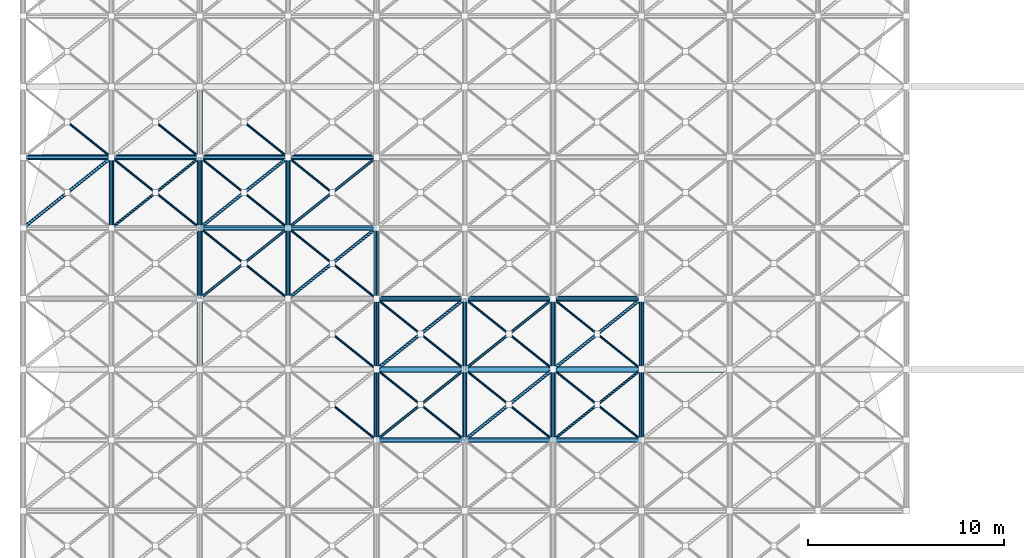
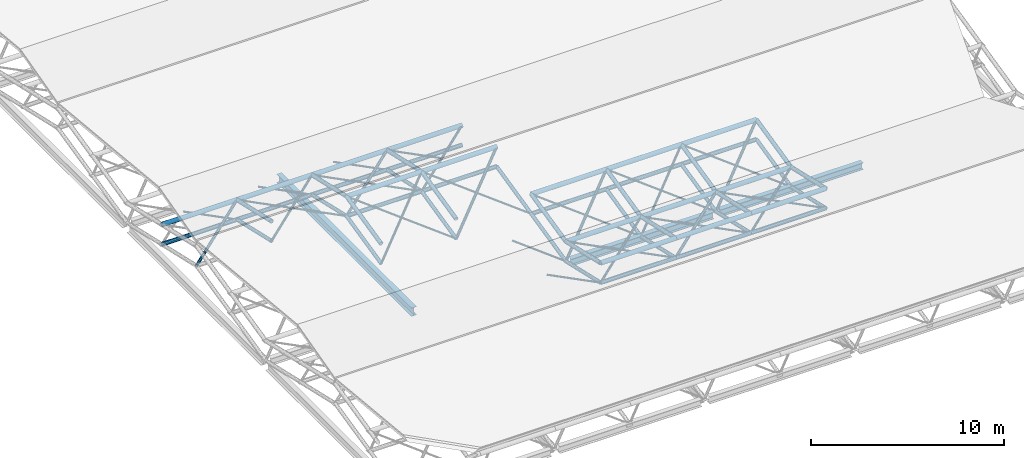
# One storey, part 14 of 110: 92 members, 3 beams.
"""IFC4 building model written with IfcOpenShell, lengths in metres."""

from ifc_helpers import new_model, si_unit, direction, frame, origin, origin_2d, place, context, subcontext, project, spatial, hollow_circle, i_section, extrude, material, material_profile, profile_set, type_object, element, save


model = new_model("IFC4")

# Units and contexts
model_context = context("Model", 3, precision=1e-05, world=origin(), true_north=direction((0.0, 1.0)))
body_context = subcontext(model_context, "Body", "Model", "MODEL_VIEW")
ifc_project = project(units=[si_unit("LENGTHUNIT", "METRE"), si_unit("AREAUNIT", "SQUARE_METRE"), si_unit("VOLUMEUNIT", "CUBIC_METRE"), si_unit("PLANEANGLEUNIT", "RADIAN"), si_unit("MASSUNIT", "GRAM", prefix="KILO")], contexts=[model_context])

# Site, building, storey
site_placement = place(None, origin())
site = spatial("IfcSite", under=ifc_project, at=site_placement, CompositionType="ELEMENT")
building_placement = place(site_placement, origin())
building = spatial("IfcBuilding", under=site, at=building_placement, Name="Tamarisk Ironworks Central Station", CompositionType="ELEMENT")
storey_placement = place(building_placement, frame((0.0, 0.0, 17.39990234375)))
storey = spatial("IfcBuildingStorey", under=building, at=storey_placement, Name="L03", CompositionType="ELEMENT", Elevation=17.39990234375)

# Beams
ifc_material_1 = material(Name="Structural steel S355J2", Category="steel")
ifc_material_profile_1 = material_profile(ifc_material_1, i_section(OverallWidth=0.300048828125, OverallDepth=0.5400390625, WebThickness=0.012451171875, FlangeThickness=0.02392578125, at=origin_2d()), Name="HEA 550")
ifc_profile_set_1 = profile_set([ifc_material_profile_1], Name="Structural steel S355J2")
beam_type_1 = type_object("IfcBeamType", Name="BM-G04", PredefinedType="BEAM", material=ifc_profile_set_1)
beam_placement = place(storey_placement, frame((9.0, 36.191162109375, -1.869873046875), z_axis=(0.0, 1.0, 0.0), x_axis=(-1.0, 0.0, 0.0)))
element("IfcBeam", 1, at=beam_placement, inside=storey, type_object=beam_type_1, Name="L03 primary girder Y-0587", PredefinedType="BEAM", context=body_context, shape_type="SweptSolid", body=[
    extrude(i_section(OverallWidth=0.300048828125, OverallDepth=0.5400390625, WebThickness=0.012451171875, FlangeThickness=0.02392578125, at=origin_2d()), origin(), (0.0, 0.0, 1.0), 14.017578125),
])
ifc_material_profile_2 = material_profile(ifc_material_1, i_section(OverallWidth=0.300048828125, OverallDepth=0.43994140625, WebThickness=0.011474609375, FlangeThickness=0.02099609375, at=origin_2d()), Name="HEA 450")
ifc_profile_set_2 = profile_set([ifc_material_profile_2], Name="Structural steel S355J2")
beam_type_2 = type_object("IfcBeamType", Name="BM-G06", PredefinedType="BEAM", material=ifc_profile_set_2)
for number, where, z_axis, x_axis, name in (
    (2, (18.241943359375, 36.0, -1.81982421875), (1.0, 0.0, 0.0), (0.0, 1.0, 0.0), "L03 primary girder X-0549"),
    (3, (27.191162109375, 36.0, -1.81982421875), (1.0, 0.0, 0.0), (0.0, 1.0, 0.0), "L03 primary girder X-0550"),
):
    element("IfcBeam", number, at=place(storey_placement, frame(where, z_axis=z_axis, x_axis=x_axis)), inside=storey, type_object=beam_type_2, Name=name, PredefinedType="BEAM", context=body_context, shape_type="SweptSolid", body=[
        extrude(i_section(OverallWidth=0.300048828125, OverallDepth=0.43994140625, WebThickness=0.011474609375, FlangeThickness=0.02099609375, at=origin_2d()), origin(), (0.0, 0.0, 1.0), 8.56689453125),
    ])

# Members
ifc_material_2 = material(Name="Structural steel S355J2H", Category="steel")
ifc_material_profile_3 = material_profile(ifc_material_2, hollow_circle(Radius=0.136474609375, WallThickness=0.012451171875, at=origin_2d()), Name="CHS 273x12.5")
ifc_profile_set_3 = profile_set([ifc_material_profile_3], Name="Structural steel S355J2H")
member_type_1 = type_object("IfcMemberType", Name="MB-SFC01", PredefinedType="CHORD", material=ifc_profile_set_3)
for number, where, z_axis, x_axis, name in (
    (4, (18.0, 32.39990234375, 0.35498046875), (1.0, 0.0, 0.0), (0.0, 1.0, 0.0), "Train shed space-frame top chord 0109"),
    (5, (22.5, 32.39990234375, 0.35498046875), (1.0, 0.0, 0.0), (0.0, 1.0, 0.0), "Train shed space-frame top chord 0110"),
    (6, (27.0, 32.39990234375, 0.35498046875), (1.0, 0.0, 0.0), (0.0, 1.0, 0.0), "Train shed space-frame top chord 0111"),
    (7, (18.0, 36.0, -0.469970703125), (1.0, 0.0, 0.0), (0.0, 1.0, 0.0), "Train shed space-frame top chord 0119"),
    (8, (22.5, 36.0, -0.469970703125), (1.0, 0.0, 0.0), (0.0, 1.0, 0.0), "Train shed space-frame top chord 0120"),
    (9, (27.0, 36.0, -0.469970703125), (1.0, 0.0, 0.0), (0.0, 1.0, 0.0), "Train shed space-frame top chord 0121"),
    (10, (18.0, 39.60009765625, 0.35498046875), (1.0, 0.0, 0.0), (0.0, 1.0, 0.0), "Train shed space-frame top chord 0327"),
    (11, (22.5, 39.60009765625, 0.35498046875), (1.0, 0.0, 0.0), (0.0, 1.0, 0.0), "Train shed space-frame top chord 0328"),
    (12, (27.0, 39.60009765625, 0.35498046875), (1.0, 0.0, 0.0), (0.0, 1.0, 0.0), "Train shed space-frame top chord 0329"),
    (13, (9.0, 43.199951171875, 1.18017578125), (1.0, 0.0, 0.0), (0.0, 1.0, 0.0), "Train shed space-frame top chord 0335"),
    (14, (13.5, 43.199951171875, 1.18017578125), (1.0, 0.0, 0.0), (0.0, 1.0, 0.0), "Train shed space-frame top chord 0336"),
    (15, (0.0, 46.800048828125, 0.35498046875), (1.0, 0.0, 0.0), (0.0, 1.0, 0.0), "Train shed space-frame top chord 0343"),
    (16, (4.5, 46.800048828125, 0.35498046875), (1.0, 0.0, 0.0), (0.0, 1.0, 0.0), "Train shed space-frame top chord 0344"),
    (17, (9.0, 46.800048828125, 0.35498046875), (1.0, 0.0, 0.0), (0.0, 1.0, 0.0), "Train shed space-frame top chord 0345"),
    (18, (13.5, 46.800048828125, 0.35498046875), (1.0, 0.0, 0.0), (0.0, 1.0, 0.0), "Train shed space-frame top chord 0346"),
):
    element("IfcMember", number, at=place(storey_placement, frame(where, z_axis=z_axis, x_axis=x_axis)), inside=storey, type_object=member_type_1, Name=name, PredefinedType="CHORD", context=body_context, shape_type="SweptSolid", body=[
        extrude(hollow_circle(Radius=0.136474609375, WallThickness=0.012451171875, at=origin_2d()), origin(), (0.0, 0.0, 1.0), 4.5),
    ])
ifc_material_profile_4 = material_profile(ifc_material_2, hollow_circle(Radius=0.122314453125, WallThickness=0.012451171875, at=origin_2d()), Name="CHS 244.5x12.5")
ifc_profile_set_4 = profile_set([ifc_material_profile_4], Name="Structural steel S355J2H")
member_type_2 = type_object("IfcMemberType", Name="MB-SFC02", PredefinedType="CHORD", material=ifc_profile_set_4)
for number, where, z_axis, x_axis, name in (
    (19, (18.0, 32.39990234375, -0.89501953125), (1.0, 0.0, 0.0), (0.0, 1.0, 0.0), "Train shed space-frame bottom chord 0025"),
    (20, (22.5, 32.39990234375, -0.89501953125), (1.0, 0.0, 0.0), (0.0, 1.0, 0.0), "Train shed space-frame bottom chord 0026"),
    (21, (27.0, 32.39990234375, -0.89501953125), (1.0, 0.0, 0.0), (0.0, 1.0, 0.0), "Train shed space-frame bottom chord 0027"),
):
    element("IfcMember", number, at=place(storey_placement, frame(where, z_axis=z_axis, x_axis=x_axis)), inside=storey, type_object=member_type_2, Name=name, PredefinedType="CHORD", context=body_context, shape_type="SweptSolid", body=[
        extrude(hollow_circle(Radius=0.122314453125, WallThickness=0.012451171875, at=origin_2d()), origin(), (0.0, 0.0, 1.0), 4.5),
    ])
for number, where, z_axis, x_axis, name in (
    (22, (18.0, 32.39990234375, 0.35498046875), (0.0, 0.974736516158, -0.223357838607), (-1.0, 0.0, 0.0), "Train shed space-frame top transverse chord 0144"),
    (23, (22.5, 32.39990234375, 0.35498046875), (0.0, 0.974736516158, -0.223357838607), (-1.0, 0.0, 0.0), "Train shed space-frame top transverse chord 0148"),
    (24, (27.0, 32.39990234375, 0.35498046875), (0.0, 0.974736516158, -0.223357838607), (-1.0, 0.0, 0.0), "Train shed space-frame top transverse chord 0152"),
    (25, (31.5, 32.39990234375, 0.35498046875), (0.0, 0.974736516158, -0.223357838607), (-1.0, 0.0, 0.0), "Train shed space-frame top transverse chord 0156"),
):
    element("IfcMember", number, at=place(storey_placement, frame(where, z_axis=z_axis, x_axis=x_axis)), inside=storey, type_object=member_type_2, Name=name, PredefinedType="CHORD", context=body_context, shape_type="SweptSolid", body=[
        extrude(hollow_circle(Radius=0.122314453125, WallThickness=0.012451171875, at=origin_2d()), origin(), (0.0, 0.0, 1.0), 3.693359375),
    ])
for number, where, z_axis, x_axis, name in (
    (26, (18.0, 39.60009765625, -0.89501953125), (1.0, 0.0, 0.0), (0.0, 1.0, 0.0), "Train shed space-frame bottom chord 0253"),
    (27, (22.5, 39.60009765625, -0.89501953125), (1.0, 0.0, 0.0), (0.0, 1.0, 0.0), "Train shed space-frame bottom chord 0254"),
    (28, (27.0, 39.60009765625, -0.89501953125), (1.0, 0.0, 0.0), (0.0, 1.0, 0.0), "Train shed space-frame bottom chord 0255"),
    (29, (9.0, 43.199951171875, -0.06982421875), (1.0, 0.0, 0.0), (0.0, 1.0, 0.0), "Train shed space-frame bottom chord 0261"),
    (30, (13.5, 43.199951171875, -0.06982421875), (1.0, 0.0, 0.0), (0.0, 1.0, 0.0), "Train shed space-frame bottom chord 0262"),
    (31, (0.0, 46.800048828125, -0.89501953125), (1.0, 0.0, 0.0), (0.0, 1.0, 0.0), "Train shed space-frame bottom chord 0269"),
    (32, (4.5, 46.800048828125, -0.89501953125), (1.0, 0.0, 0.0), (0.0, 1.0, 0.0), "Train shed space-frame bottom chord 0270"),
    (33, (9.0, 46.800048828125, -0.89501953125), (1.0, 0.0, 0.0), (0.0, 1.0, 0.0), "Train shed space-frame bottom chord 0271"),
    (34, (13.5, 46.800048828125, -0.89501953125), (1.0, 0.0, 0.0), (0.0, 1.0, 0.0), "Train shed space-frame bottom chord 0272"),
):
    element("IfcMember", number, at=place(storey_placement, frame(where, z_axis=z_axis, x_axis=x_axis)), inside=storey, type_object=member_type_2, Name=name, PredefinedType="CHORD", context=body_context, shape_type="SweptSolid", body=[
        extrude(hollow_circle(Radius=0.122314453125, WallThickness=0.012451171875, at=origin_2d()), origin(), (0.0, 0.0, 1.0), 4.5),
    ])
member_1_placement = place(storey_placement, frame((4.5, 43.199951171875, 1.18017578125), z_axis=(0.0, 0.974722123001, -0.223420641241), x_axis=(-1.0, 0.0, 0.0)))
element("IfcMember", 35, at=member_1_placement, inside=storey, type_object=member_type_2, Name="Train shed space-frame top transverse chord 0369", PredefinedType="CHORD", context=body_context, shape_type="SweptSolid", body=[
    extrude(hollow_circle(Radius=0.122314453125, WallThickness=0.012451171875, at=origin_2d()), origin(), (0.0, 0.0, 1.0), 3.693359375),
])
member_2_placement = place(storey_placement, frame((9.0, 39.60009765625, 0.35498046875), z_axis=(0.0, 0.974718823144, 0.223435037113), x_axis=(-1.0, 0.0, 0.0)))
element("IfcMember", 36, at=member_2_placement, inside=storey, type_object=member_type_2, Name="Train shed space-frame top transverse chord 0372", PredefinedType="CHORD", context=body_context, shape_type="SweptSolid", body=[
    extrude(hollow_circle(Radius=0.122314453125, WallThickness=0.012451171875, at=origin_2d()), origin(), (0.0, 0.0, 1.0), 3.693115234375),
])
member_3_placement = place(storey_placement, frame((9.0, 43.199951171875, 1.18017578125), z_axis=(0.0, 0.974722123001, -0.223420641241), x_axis=(-1.0, 0.0, 0.0)))
element("IfcMember", 37, at=member_3_placement, inside=storey, type_object=member_type_2, Name="Train shed space-frame top transverse chord 0373", PredefinedType="CHORD", context=body_context, shape_type="SweptSolid", body=[
    extrude(hollow_circle(Radius=0.122314453125, WallThickness=0.012451171875, at=origin_2d()), origin(), (0.0, 0.0, 1.0), 3.693359375),
])
member_4_placement = place(storey_placement, frame((13.5, 39.60009765625, 0.35498046875), z_axis=(0.0, 0.974718823144, 0.223435037113), x_axis=(-1.0, 0.0, 0.0)))
element("IfcMember", 38, at=member_4_placement, inside=storey, type_object=member_type_2, Name="Train shed space-frame top transverse chord 0376", PredefinedType="CHORD", context=body_context, shape_type="SweptSolid", body=[
    extrude(hollow_circle(Radius=0.122314453125, WallThickness=0.012451171875, at=origin_2d()), origin(), (0.0, 0.0, 1.0), 3.693115234375),
])
for number, where, z_axis, x_axis, name in (
    (39, (13.5, 43.199951171875, 1.18017578125), (0.0, 0.974722123001, -0.223420641241), (-1.0, 0.0, 0.0), "Train shed space-frame top transverse chord 0377"),
    (40, (18.0, 36.0, -0.469970703125), (0.0, 0.974736516158, 0.223357838607), (-1.0, 0.0, 0.0), "Train shed space-frame top transverse chord 0379"),
    (41, (22.5, 36.0, -0.469970703125), (0.0, 0.974736516158, 0.223357838607), (-1.0, 0.0, 0.0), "Train shed space-frame top transverse chord 0383"),
    (42, (27.0, 36.0, -0.469970703125), (0.0, 0.974736516158, 0.223357838607), (-1.0, 0.0, 0.0), "Train shed space-frame top transverse chord 0387"),
    (43, (31.5, 36.0, -0.469970703125), (0.0, 0.974736516158, 0.223357838607), (-1.0, 0.0, 0.0), "Train shed space-frame top transverse chord 0391"),
):
    element("IfcMember", number, at=place(storey_placement, frame(where, z_axis=z_axis, x_axis=x_axis)), inside=storey, type_object=member_type_2, Name=name, PredefinedType="CHORD", context=body_context, shape_type="SweptSolid", body=[
        extrude(hollow_circle(Radius=0.122314453125, WallThickness=0.012451171875, at=origin_2d()), origin(), (0.0, 0.0, 1.0), 3.693359375),
    ])
ifc_material_profile_5 = material_profile(ifc_material_2, hollow_circle(Radius=0.109619140625, WallThickness=0.010009765625, at=origin_2d()), Name="CHS 219.1x10")
ifc_profile_set_5 = profile_set([ifc_material_profile_5], Name="Structural steel S355J2H")
member_type_3 = type_object("IfcMemberType", Name="MB-SFC03", PredefinedType="CHORD", material=ifc_profile_set_5)
for number, where, z_axis, x_axis, name in (
    (44, (18.0, 32.39990234375, -0.89501953125), (0.0, 0.974736516158, -0.223357838607), (-1.0, 0.0, 0.0), "Train shed space-frame transverse chord 0050"),
    (45, (22.5, 32.39990234375, -0.89501953125), (0.0, 0.974736516158, -0.223357838607), (-1.0, 0.0, 0.0), "Train shed space-frame transverse chord 0054"),
    (46, (27.0, 32.39990234375, -0.89501953125), (0.0, 0.974736516158, -0.223357838607), (-1.0, 0.0, 0.0), "Train shed space-frame transverse chord 0058"),
    (47, (31.5, 32.39990234375, -0.89501953125), (0.0, 0.974736516158, -0.223357838607), (-1.0, 0.0, 0.0), "Train shed space-frame transverse chord 0062"),
    (48, (4.5, 43.199951171875, -0.06982421875), (0.0, 0.974722123001, -0.223420641241), (-1.0, 0.0, 0.0), "Train shed space-frame transverse chord 0285"),
):
    element("IfcMember", number, at=place(storey_placement, frame(where, z_axis=z_axis, x_axis=x_axis)), inside=storey, type_object=member_type_3, Name=name, PredefinedType="CHORD", context=body_context, shape_type="SweptSolid", body=[
        extrude(hollow_circle(Radius=0.109619140625, WallThickness=0.010009765625, at=origin_2d()), origin(), (0.0, 0.0, 1.0), 3.693359375),
    ])
member_5_placement = place(storey_placement, frame((9.0, 39.60009765625, -0.89501953125), z_axis=(0.0, 0.974718823144, 0.223435037113), x_axis=(-1.0, 0.0, 0.0)))
element("IfcMember", 49, at=member_5_placement, inside=storey, type_object=member_type_3, Name="Train shed space-frame transverse chord 0288", PredefinedType="CHORD", context=body_context, shape_type="SweptSolid", body=[
    extrude(hollow_circle(Radius=0.109619140625, WallThickness=0.010009765625, at=origin_2d()), origin(), (0.0, 0.0, 1.0), 3.693115234375),
])
member_6_placement = place(storey_placement, frame((9.0, 43.199951171875, -0.06982421875), z_axis=(0.0, 0.974722123001, -0.223420641241), x_axis=(-1.0, 0.0, 0.0)))
element("IfcMember", 50, at=member_6_placement, inside=storey, type_object=member_type_3, Name="Train shed space-frame transverse chord 0289", PredefinedType="CHORD", context=body_context, shape_type="SweptSolid", body=[
    extrude(hollow_circle(Radius=0.109619140625, WallThickness=0.010009765625, at=origin_2d()), origin(), (0.0, 0.0, 1.0), 3.693359375),
])
member_7_placement = place(storey_placement, frame((13.5, 39.60009765625, -0.89501953125), z_axis=(0.0, 0.974718823144, 0.223435037113), x_axis=(-1.0, 0.0, 0.0)))
element("IfcMember", 51, at=member_7_placement, inside=storey, type_object=member_type_3, Name="Train shed space-frame transverse chord 0292", PredefinedType="CHORD", context=body_context, shape_type="SweptSolid", body=[
    extrude(hollow_circle(Radius=0.109619140625, WallThickness=0.010009765625, at=origin_2d()), origin(), (0.0, 0.0, 1.0), 3.693115234375),
])
for number, where, z_axis, x_axis, name in (
    (52, (13.5, 43.199951171875, -0.06982421875), (0.0, 0.974722123001, -0.223420641241), (-1.0, 0.0, 0.0), "Train shed space-frame transverse chord 0293"),
    (53, (18.0, 36.0, -1.719970703125), (0.0, 0.974736516158, 0.223357838607), (-1.0, 0.0, 0.0), "Train shed space-frame transverse chord 0295"),
):
    element("IfcMember", number, at=place(storey_placement, frame(where, z_axis=z_axis, x_axis=x_axis)), inside=storey, type_object=member_type_3, Name=name, PredefinedType="CHORD", context=body_context, shape_type="SweptSolid", body=[
        extrude(hollow_circle(Radius=0.109619140625, WallThickness=0.010009765625, at=origin_2d()), origin(), (0.0, 0.0, 1.0), 3.693359375),
    ])
member_8_placement = place(storey_placement, frame((18.0, 39.60009765625, -0.89501953125), z_axis=(0.0, 0.974718823144, 0.223435037113), x_axis=(-1.0, 0.0, 0.0)))
element("IfcMember", 54, at=member_8_placement, inside=storey, type_object=member_type_3, Name="Train shed space-frame transverse chord 0296", PredefinedType="CHORD", context=body_context, shape_type="SweptSolid", body=[
    extrude(hollow_circle(Radius=0.109619140625, WallThickness=0.010009765625, at=origin_2d()), origin(), (0.0, 0.0, 1.0), 3.693115234375),
])
for number, where, z_axis, x_axis, name in (
    (55, (22.5, 36.0, -1.719970703125), (0.0, 0.974736516158, 0.223357838607), (-1.0, 0.0, 0.0), "Train shed space-frame transverse chord 0299"),
    (56, (27.0, 36.0, -1.719970703125), (0.0, 0.974736516158, 0.223357838607), (-1.0, 0.0, 0.0), "Train shed space-frame transverse chord 0303"),
    (57, (31.5, 36.0, -1.719970703125), (0.0, 0.974736516158, 0.223357838607), (-1.0, 0.0, 0.0), "Train shed space-frame transverse chord 0307"),
):
    element("IfcMember", number, at=place(storey_placement, frame(where, z_axis=z_axis, x_axis=x_axis)), inside=storey, type_object=member_type_3, Name=name, PredefinedType="CHORD", context=body_context, shape_type="SweptSolid", body=[
        extrude(hollow_circle(Radius=0.109619140625, WallThickness=0.010009765625, at=origin_2d()), origin(), (0.0, 0.0, 1.0), 3.693359375),
    ])
ifc_material_profile_6 = material_profile(ifc_material_2, hollow_circle(Radius=0.084228515625, WallThickness=0.010009765625, at=origin_2d()), Name="CHS 168.3x10")
ifc_profile_set_6 = profile_set([ifc_material_profile_6], Name="Structural steel S355J2H")
member_type_4 = type_object("IfcMemberType", Name="MB-SFD01", PredefinedType="BRACE", material=ifc_profile_set_6)
for number, where, z_axis, x_axis, name in (
    (58, (22.5, 32.39990234375, -0.89501953125), (0.778745225774, 0.623013080472, 0.073556610138), (-0.624705380279, 0.780860543151, 0.0), "Train shed space-frame diagonal 0215"),
    (59, (0.0, 43.199951171875, -0.06982421875), (0.778747645228, 0.623015016088, 0.073514588905), (-0.624705380279, 0.780860543151, 0.0), "Train shed space-frame diagonal 0411"),
    (60, (9.0, 43.199951171875, -0.06982421875), (0.778747645228, 0.623015016088, 0.073514588905), (-0.624705380279, 0.780860543151, 0.0), "Train shed space-frame diagonal 0427"),
):
    element("IfcMember", number, at=place(storey_placement, frame(where, z_axis=z_axis, x_axis=x_axis)), inside=storey, type_object=member_type_4, Name=name, PredefinedType="BRACE", context=body_context, shape_type="SweptSolid", body=[
        extrude(hollow_circle(Radius=0.084228515625, WallThickness=0.010009765625, at=origin_2d()), origin(), (0.0, 0.0, 1.0), 5.778564453125),
    ])
for number, where, z_axis, x_axis, name in (
    (61, (13.5, 39.60009765625, -0.89501953125), (0.734696267565, 0.587733098158, 0.338808500125), (-0.624679547852, 0.780881208953, 0.0), "Train shed space-frame diagonal 0433"),
    (62, (18.0, 36.0, -1.719970703125), (0.734688976783, 0.587767125198, 0.33876527852), (-0.624705380279, 0.780860543151, 0.0), "Train shed space-frame diagonal 0439"),
    (63, (27.0, 36.0, -1.719970703125), (0.734688976783, 0.587767125198, 0.33876527852), (-0.624705380279, 0.780860543151, 0.0), "Train shed space-frame diagonal 0455"),
):
    element("IfcMember", number, at=place(storey_placement, frame(where, z_axis=z_axis, x_axis=x_axis)), inside=storey, type_object=member_type_4, Name=name, PredefinedType="BRACE", context=body_context, shape_type="SweptSolid", body=[
        extrude(hollow_circle(Radius=0.084228515625, WallThickness=0.010009765625, at=origin_2d()), origin(), (0.0, 0.0, 1.0), 6.125),
    ])
ifc_material_profile_7 = material_profile(ifc_material_2, hollow_circle(Radius=0.06982421875, WallThickness=0.008056640625, at=origin_2d()), Name="CHS 139.7x8")
ifc_profile_set_7 = profile_set([ifc_material_profile_7], Name="Structural steel S355J2H")
member_type_5 = type_object("IfcMemberType", Name="MB-SFD02", PredefinedType="BRACE", material=ifc_profile_set_7)
for number, where, z_axis, x_axis, name in (
    (64, (18.0, 32.39990234375, -0.89501953125), (0.778745225774, 0.623013080472, 0.073556610138), (-0.624705380279, 0.780860543151, 0.0), "Train shed space-frame diagonal 0207"),
    (65, (27.0, 32.39990234375, -0.89501953125), (0.778745225774, 0.623013080472, 0.073556610138), (-0.624705380279, 0.780860543151, 0.0), "Train shed space-frame diagonal 0223"),
    (66, (4.5, 43.199951171875, -0.06982421875), (0.778747645228, 0.623015016088, 0.073514588905), (-0.624705380279, 0.780860543151, 0.0), "Train shed space-frame diagonal 0419"),
):
    element("IfcMember", number, at=place(storey_placement, frame(where, z_axis=z_axis, x_axis=x_axis)), inside=storey, type_object=member_type_5, Name=name, PredefinedType="BRACE", context=body_context, shape_type="SweptSolid", body=[
        extrude(hollow_circle(Radius=0.06982421875, WallThickness=0.008056640625, at=origin_2d()), origin(), (0.0, 0.0, 1.0), 5.778564453125),
    ])
member_9_placement = place(storey_placement, frame((9.0, 39.60009765625, -0.89501953125), z_axis=(0.734696267565, 0.587733098158, 0.338808500125), x_axis=(-0.624679547852, 0.780881208953, 0.0)))
element("IfcMember", 67, at=member_9_placement, inside=storey, type_object=member_type_5, Name="Train shed space-frame diagonal 0425", PredefinedType="BRACE", context=body_context, shape_type="SweptSolid", body=[
    extrude(hollow_circle(Radius=0.06982421875, WallThickness=0.008056640625, at=origin_2d()), origin(), (0.0, 0.0, 1.0), 6.125),
])
member_10_placement = place(storey_placement, frame((13.5, 43.199951171875, -0.06982421875), z_axis=(0.778747645228, 0.623015016088, 0.073514588905), x_axis=(-0.624705380279, 0.780860543151, 0.0)))
element("IfcMember", 68, at=member_10_placement, inside=storey, type_object=member_type_5, Name="Train shed space-frame diagonal 0435", PredefinedType="BRACE", context=body_context, shape_type="SweptSolid", body=[
    extrude(hollow_circle(Radius=0.06982421875, WallThickness=0.008056640625, at=origin_2d()), origin(), (0.0, 0.0, 1.0), 5.778564453125),
])
member_11_placement = place(storey_placement, frame((22.5, 36.0, -1.719970703125), z_axis=(0.734688976783, 0.587767125198, 0.33876527852), x_axis=(-0.624705380279, 0.780860543151, 0.0)))
element("IfcMember", 69, at=member_11_placement, inside=storey, type_object=member_type_5, Name="Train shed space-frame diagonal 0447", PredefinedType="BRACE", context=body_context, shape_type="SweptSolid", body=[
    extrude(hollow_circle(Radius=0.06982421875, WallThickness=0.008056640625, at=origin_2d()), origin(), (0.0, 0.0, 1.0), 6.125),
])
ifc_material_profile_8 = material_profile(ifc_material_2, hollow_circle(Radius=0.05712890625, WallThickness=0.00634765625, at=origin_2d()), Name="CHS 114.3x6.3")
ifc_profile_set_8 = profile_set([ifc_material_profile_8], Name="Structural steel S355J2H")
member_type_6 = type_object("IfcMemberType", Name="MB-SFD03", PredefinedType="BRACE", material=ifc_profile_set_8)
for number, where, z_axis, x_axis, name in (
    (70, (18.0, 32.39990234375, -0.89501953125), (-0.778744920641, 0.623013163477, 0.07355913751), (-0.624705580279, -0.780860383147, 0.0), "Train shed space-frame split counter-diagonal lower 0200"),
    (71, (22.5, 32.39990234375, -0.89501953125), (-0.778744920641, 0.623013163477, 0.07355913751), (-0.624705580279, -0.780860383147, 0.0), "Train shed space-frame split counter-diagonal lower 0208"),
):
    element("IfcMember", number, at=place(storey_placement, frame(where, z_axis=z_axis, x_axis=x_axis)), inside=storey, type_object=member_type_6, Name=name, PredefinedType="BRACE", context=body_context, shape_type="SweptSolid", body=[
        extrude(hollow_circle(Radius=0.05712890625, WallThickness=0.00634765625, at=origin_2d()), origin(), (0.0, 0.0, 1.0), 2.83447265625),
    ])
member_12_placement = place(storey_placement, frame((20.207275390625, 34.234375, -0.678466796875), z_axis=(-0.778786711003, 0.622960457248, 0.073563084968), x_axis=(-0.624652913247, -0.780902515025, 0.0)))
element("IfcMember", 72, at=member_12_placement, inside=storey, type_object=member_type_6, Name="Train shed space-frame split counter-diagonal upper 0208", PredefinedType="BRACE", context=body_context, shape_type="SweptSolid", body=[
    extrude(hollow_circle(Radius=0.05712890625, WallThickness=0.00634765625, at=origin_2d()), origin(), (0.0, 0.0, 1.0), 2.834228515625),
])
member_13_placement = place(storey_placement, frame((27.0, 32.39990234375, -0.89501953125), z_axis=(-0.778744920641, 0.623013163477, 0.07355913751), x_axis=(-0.624705580279, -0.780860383147, 0.0)))
element("IfcMember", 73, at=member_13_placement, inside=storey, type_object=member_type_6, Name="Train shed space-frame split counter-diagonal lower 0216", PredefinedType="BRACE", context=body_context, shape_type="SweptSolid", body=[
    extrude(hollow_circle(Radius=0.05712890625, WallThickness=0.00634765625, at=origin_2d()), origin(), (0.0, 0.0, 1.0), 2.83447265625),
])
member_14_placement = place(storey_placement, frame((24.707275390625, 34.234375, -0.678466796875), z_axis=(-0.778786711003, 0.622960457248, 0.073563084968), x_axis=(-0.624652913247, -0.780902515025, 0.0)))
element("IfcMember", 74, at=member_14_placement, inside=storey, type_object=member_type_6, Name="Train shed space-frame split counter-diagonal upper 0216", PredefinedType="BRACE", context=body_context, shape_type="SweptSolid", body=[
    extrude(hollow_circle(Radius=0.05712890625, WallThickness=0.00634765625, at=origin_2d()), origin(), (0.0, 0.0, 1.0), 2.834228515625),
])
member_15_placement = place(storey_placement, frame((31.5, 32.39990234375, -0.89501953125), z_axis=(-0.778744920641, 0.623013163477, 0.07355913751), x_axis=(-0.624705580279, -0.780860383147, 0.0)))
element("IfcMember", 75, at=member_15_placement, inside=storey, type_object=member_type_6, Name="Train shed space-frame split counter-diagonal lower 0224", PredefinedType="BRACE", context=body_context, shape_type="SweptSolid", body=[
    extrude(hollow_circle(Radius=0.05712890625, WallThickness=0.00634765625, at=origin_2d()), origin(), (0.0, 0.0, 1.0), 2.83447265625),
])
for number, where, z_axis, x_axis, name in (
    (76, (29.207275390625, 34.234375, -0.678466796875), (-0.778786711003, 0.622960457248, 0.073563084968), (-0.624652913247, -0.780902515025, 0.0), "Train shed space-frame split counter-diagonal upper 0224"),
    (77, (4.5, 46.800048828125, -0.89501953125), (-0.778786711003, 0.622960457248, 0.073563084968), (-0.624652913247, -0.780902515025, 0.0), "Train shed space-frame split counter-diagonal lower 0414"),
):
    element("IfcMember", number, at=place(storey_placement, frame(where, z_axis=z_axis, x_axis=x_axis)), inside=storey, type_object=member_type_6, Name=name, PredefinedType="BRACE", context=body_context, shape_type="SweptSolid", body=[
        extrude(hollow_circle(Radius=0.05712890625, WallThickness=0.00634765625, at=origin_2d()), origin(), (0.0, 0.0, 1.0), 2.834228515625),
    ])
for number, where, z_axis, x_axis, name in (
    (78, (9.0, 43.199951171875, -0.06982421875), (-0.778744920641, 0.623013163477, 0.07355913751), (-0.624705580279, -0.780860383147, 0.0), "Train shed space-frame split counter-diagonal lower 0420"),
    (79, (6.707275390625, 45.0341796875, 0.146484375), (-0.778744920641, 0.623013163477, 0.07355913751), (-0.624705580279, -0.780860383147, 0.0), "Train shed space-frame split counter-diagonal upper 0420"),
):
    element("IfcMember", number, at=place(storey_placement, frame(where, z_axis=z_axis, x_axis=x_axis)), inside=storey, type_object=member_type_6, Name=name, PredefinedType="BRACE", context=body_context, shape_type="SweptSolid", body=[
        extrude(hollow_circle(Radius=0.05712890625, WallThickness=0.00634765625, at=origin_2d()), origin(), (0.0, 0.0, 1.0), 2.83447265625),
    ])
member_16_placement = place(storey_placement, frame((9.0, 46.800048828125, -0.89501953125), z_axis=(-0.778786711003, 0.622960457248, 0.073563084968), x_axis=(-0.624652913247, -0.780902515025, 0.0)))
element("IfcMember", 80, at=member_16_placement, inside=storey, type_object=member_type_6, Name="Train shed space-frame split counter-diagonal lower 0422", PredefinedType="BRACE", context=body_context, shape_type="SweptSolid", body=[
    extrude(hollow_circle(Radius=0.05712890625, WallThickness=0.00634765625, at=origin_2d()), origin(), (0.0, 0.0, 1.0), 2.834228515625),
])
for number, where, z_axis, x_axis, name in (
    (81, (13.5, 39.60009765625, -0.89501953125), (-0.734712152648, 0.587704782363, 0.33882317149), (-0.624652959802, -0.780902477785, 0.0), "Train shed space-frame split counter-diagonal lower 0426"),
    (82, (11.209716796875, 41.432373046875, 0.1611328125), (-0.734712152648, 0.587704782363, 0.33882317149), (-0.624652959802, -0.780902477785, 0.0), "Train shed space-frame split counter-diagonal upper 0426"),
):
    element("IfcMember", number, at=place(storey_placement, frame(where, z_axis=z_axis, x_axis=x_axis)), inside=storey, type_object=member_type_6, Name=name, PredefinedType="BRACE", context=body_context, shape_type="SweptSolid", body=[
        extrude(hollow_circle(Radius=0.05712890625, WallThickness=0.00634765625, at=origin_2d()), origin(), (0.0, 0.0, 1.0), 3.007568359375),
    ])
for number, where, z_axis, x_axis, name in (
    (83, (13.5, 43.199951171875, -0.06982421875), (-0.778744920641, 0.623013163477, 0.07355913751), (-0.624705580279, -0.780860383147, 0.0), "Train shed space-frame split counter-diagonal lower 0428"),
    (84, (11.207275390625, 45.0341796875, 0.146484375), (-0.778744920641, 0.623013163477, 0.07355913751), (-0.624705580279, -0.780860383147, 0.0), "Train shed space-frame split counter-diagonal upper 0428"),
):
    element("IfcMember", number, at=place(storey_placement, frame(where, z_axis=z_axis, x_axis=x_axis)), inside=storey, type_object=member_type_6, Name=name, PredefinedType="BRACE", context=body_context, shape_type="SweptSolid", body=[
        extrude(hollow_circle(Radius=0.05712890625, WallThickness=0.00634765625, at=origin_2d()), origin(), (0.0, 0.0, 1.0), 2.83447265625),
    ])
member_17_placement = place(storey_placement, frame((13.5, 46.800048828125, -0.89501953125), z_axis=(-0.778786711003, 0.622960457248, 0.073563084968), x_axis=(-0.624652913247, -0.780902515025, 0.0)))
element("IfcMember", 85, at=member_17_placement, inside=storey, type_object=member_type_6, Name="Train shed space-frame split counter-diagonal lower 0430", PredefinedType="BRACE", context=body_context, shape_type="SweptSolid", body=[
    extrude(hollow_circle(Radius=0.05712890625, WallThickness=0.00634765625, at=origin_2d()), origin(), (0.0, 0.0, 1.0), 2.834228515625),
])
for number, where, z_axis, x_axis, name in (
    (86, (18.0, 36.0, -1.719970703125), (-0.734712152648, 0.587704782363, 0.33882317149), (-0.624652959802, -0.780902477785, 0.0), "Train shed space-frame split counter-diagonal lower 0432"),
    (87, (18.0, 39.60009765625, -0.89501953125), (-0.734712152648, 0.587704782363, 0.33882317149), (-0.624652959802, -0.780902477785, 0.0), "Train shed space-frame split counter-diagonal lower 0434"),
    (88, (15.709716796875, 41.432373046875, 0.1611328125), (-0.734712152648, 0.587704782363, 0.33882317149), (-0.624652959802, -0.780902477785, 0.0), "Train shed space-frame split counter-diagonal upper 0434"),
):
    element("IfcMember", number, at=place(storey_placement, frame(where, z_axis=z_axis, x_axis=x_axis)), inside=storey, type_object=member_type_6, Name=name, PredefinedType="BRACE", context=body_context, shape_type="SweptSolid", body=[
        extrude(hollow_circle(Radius=0.05712890625, WallThickness=0.00634765625, at=origin_2d()), origin(), (0.0, 0.0, 1.0), 3.007568359375),
    ])
member_18_placement = place(storey_placement, frame((15.707275390625, 45.0341796875, 0.146484375), z_axis=(-0.778744920641, 0.623013163477, 0.07355913751), x_axis=(-0.624705580279, -0.780860383147, 0.0)))
element("IfcMember", 89, at=member_18_placement, inside=storey, type_object=member_type_6, Name="Train shed space-frame split counter-diagonal upper 0436", PredefinedType="BRACE", context=body_context, shape_type="SweptSolid", body=[
    extrude(hollow_circle(Radius=0.05712890625, WallThickness=0.00634765625, at=origin_2d()), origin(), (0.0, 0.0, 1.0), 2.83447265625),
])
for number, where, z_axis, x_axis, name in (
    (90, (22.5, 36.0, -1.719970703125), (-0.734712152648, 0.587704782363, 0.33882317149), (-0.624652959802, -0.780902477785, 0.0), "Train shed space-frame split counter-diagonal lower 0440"),
    (91, (20.209716796875, 37.832275390625, -0.663818359375), (-0.734697304949, 0.58777407857, 0.338735151205), (-0.624705568642, -0.780860392457, 0.0), "Train shed space-frame split counter-diagonal upper 0440"),
    (92, (27.0, 36.0, -1.719970703125), (-0.734712152648, 0.587704782363, 0.33882317149), (-0.624652959802, -0.780902477785, 0.0), "Train shed space-frame split counter-diagonal lower 0448"),
    (93, (24.709716796875, 37.832275390625, -0.663818359375), (-0.734697304949, 0.58777407857, 0.338735151205), (-0.624705568642, -0.780860392457, 0.0), "Train shed space-frame split counter-diagonal upper 0448"),
    (94, (31.5, 36.0, -1.719970703125), (-0.734712152648, 0.587704782363, 0.33882317149), (-0.624652959802, -0.780902477785, 0.0), "Train shed space-frame split counter-diagonal lower 0456"),
    (95, (29.209716796875, 37.832275390625, -0.663818359375), (-0.734697304949, 0.58777407857, 0.338735151205), (-0.624705568642, -0.780860392457, 0.0), "Train shed space-frame split counter-diagonal upper 0456"),
):
    element("IfcMember", number, at=place(storey_placement, frame(where, z_axis=z_axis, x_axis=x_axis)), inside=storey, type_object=member_type_6, Name=name, PredefinedType="BRACE", context=body_context, shape_type="SweptSolid", body=[
        extrude(hollow_circle(Radius=0.05712890625, WallThickness=0.00634765625, at=origin_2d()), origin(), (0.0, 0.0, 1.0), 3.007568359375),
    ])

save(model, "model.ifc")
